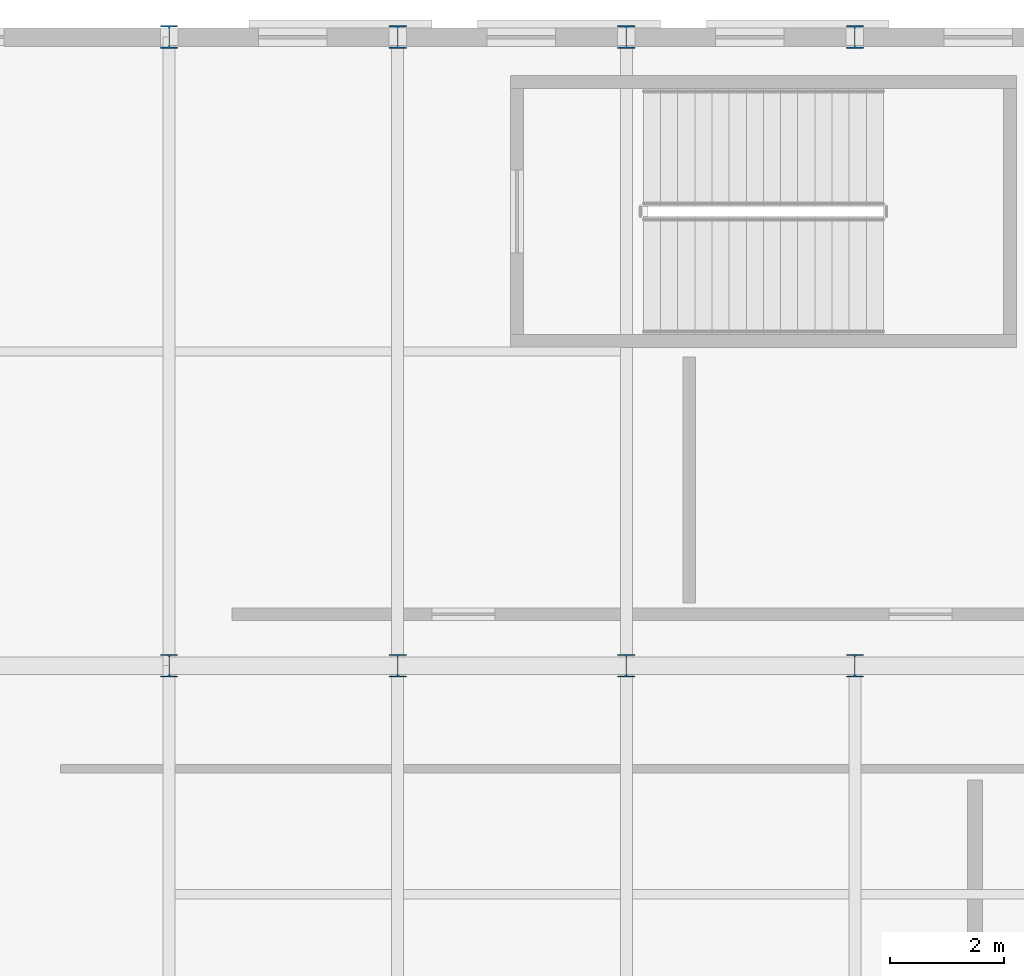
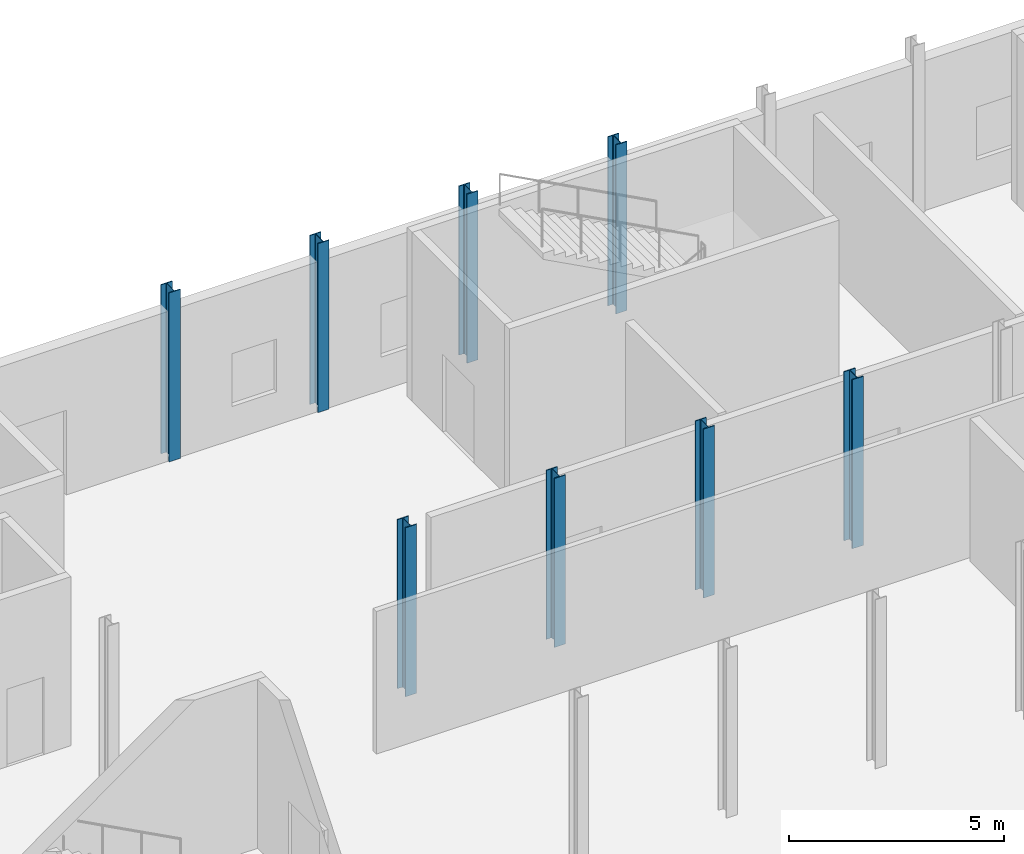
# One storey, part 23 of 101: 8 columns.
"""IFC4 building model written with IfcOpenShell, lengths in metres."""

from ifc_helpers import new_model, si_unit, derived_unit, direction, frame, origin, origin_2d, place, context, subcontext, project, spatial, i_section, extrude, material, material_profile, profile_set, type_object, element, save


model = new_model("IFC4")

# Units and contexts
model_context = context("Model", 3, precision=1e-05, world=origin(), true_north=direction((0.0, 1.0)))
body_context = subcontext(model_context, "Body", "Model", "MODEL_VIEW")
ifc_project = project(units=[si_unit("LENGTHUNIT", "METRE"), si_unit("AREAUNIT", "SQUARE_METRE"), si_unit("VOLUMEUNIT", "CUBIC_METRE"), si_unit("PLANEANGLEUNIT", "RADIAN"), si_unit("MASSUNIT", "GRAM", prefix="KILO"), derived_unit("THERMALTRANSMITTANCEUNIT", [(si_unit("POWERUNIT", "WATT"), 1), (si_unit("LENGTHUNIT", "METRE"), -2), (si_unit("THERMODYNAMICTEMPERATUREUNIT", "KELVIN"), -1)])], contexts=[model_context])

# Site, building, storey
site_placement = place(None, origin())
site = spatial("IfcSite", under=ifc_project, at=site_placement, CompositionType="ELEMENT")
building_placement = place(site_placement, origin())
building = spatial("IfcBuilding", under=site, at=building_placement, Name="Keldorne Ridge Multi-Sports Centre", CompositionType="ELEMENT")
storey_placement = place(building_placement, origin())
storey = spatial("IfcBuildingStorey", under=building, at=storey_placement, Name="L00", CompositionType="ELEMENT", Elevation=0.0)

# Columns
ifc_material = material(Name="Steel S355", Category="steel")
ifc_material_profile = material_profile(ifc_material, i_section(OverallWidth=0.300048828125, OverallDepth=0.39990234375, WebThickness=0.013427734375, FlangeThickness=0.02392578125, FilletRadius=0.027099609375, at=origin_2d()), Name="HEB 400")
ifc_profile_set = profile_set([ifc_material_profile], Name="Steel S355")
column_type = type_object("IfcColumnType", Name="COL-C-09", PredefinedType="COLUMN", material=ifc_profile_set)
for number, where, z_axis, x_axis, name in (
    (1, (120.0, 106.0, 0.0), (0.0, 0.0, 1.0), (1.0, 0.0, 0.0), "Structural column V5-C-03-06 on L00"),
    (2, (120.0, 117.0, 0.0), (0.0, 0.0, 1.0), (1.0, 0.0, 0.0), "Structural column V5-C-03-07 on L00"),
    (3, (124.0, 106.0, 0.0), (0.0, 0.0, 1.0), (1.0, 0.0, 0.0), "Structural column V5-C-04-06 on L00"),
    (4, (124.0, 117.0, 0.0), (0.0, 0.0, 1.0), (1.0, 0.0, 0.0), "Structural column V5-C-04-07 on L00"),
    (5, (128.0, 106.0, 0.0), (0.0, 0.0, 1.0), (1.0, 0.0, 0.0), "Structural column V5-C-05-06 on L00"),
    (6, (128.0, 117.0, 0.0), (0.0, 0.0, 1.0), (1.0, 0.0, 0.0), "Structural column V5-C-05-07 on L00"),
    (7, (132.0, 106.0, 0.0), (0.0, 0.0, 1.0), (1.0, 0.0, 0.0), "Structural column V5-C-06-06 on L00"),
    (8, (132.0, 117.0, 0.0), (0.0, 0.0, 1.0), (1.0, 0.0, 0.0), "Structural column V5-C-06-07 on L00"),
):
    element("IfcColumn", number, at=place(storey_placement, frame(where, z_axis=z_axis, x_axis=x_axis)), inside=storey, type_object=column_type, Name=name, PredefinedType="COLUMN", context=body_context, shape_type="SweptSolid", body=[
        extrude(i_section(OverallWidth=0.300048828125, OverallDepth=0.39990234375, WebThickness=0.013427734375, FlangeThickness=0.02392578125, FilletRadius=0.027099609375, at=origin_2d()), origin(), (0.0, 0.0, 1.0), 4.800048828125),
    ])

save(model, "model.ifc")
